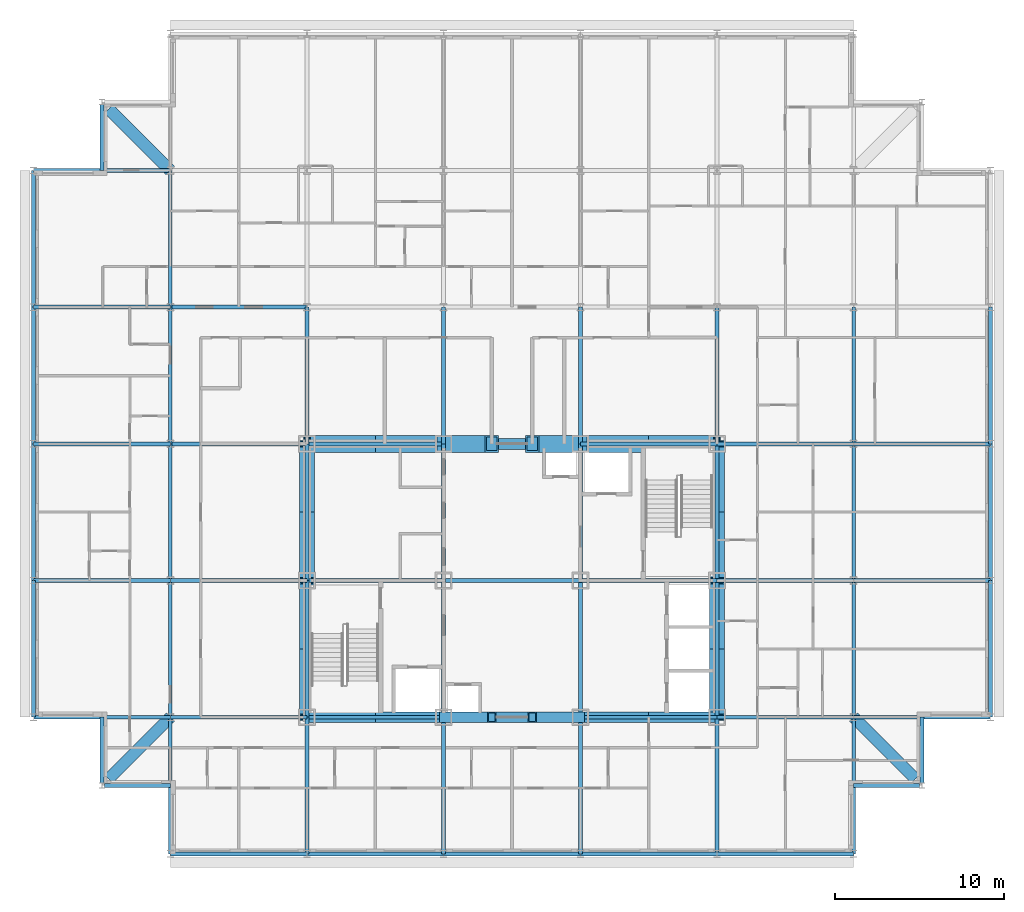
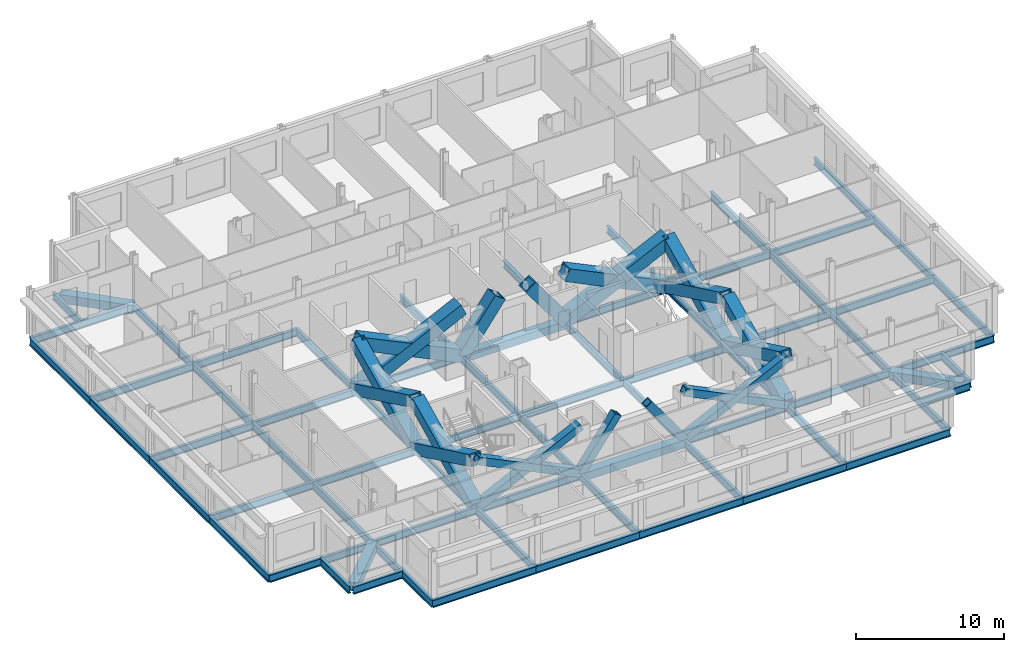
# One storey, part 5 of 16: 69 beams, 20 members.
"""IFC4 building model written with IfcOpenShell, lengths in metres."""

from ifc_helpers import new_model, si_unit, direction, frame, origin, origin_2d, place, context, subcontext, project, spatial, hollow_rectangle, i_section, extrude, material, material_profile, profile_set, type_object, element, save


model = new_model("IFC4")

# Units and contexts
model_context = context("Model", 3, precision=1e-05, world=origin(), true_north=direction((0.0, 1.0)))
body_context = subcontext(model_context, "Body", "Model", "MODEL_VIEW")
ifc_project = project(units=[si_unit("LENGTHUNIT", "METRE"), si_unit("AREAUNIT", "SQUARE_METRE"), si_unit("VOLUMEUNIT", "CUBIC_METRE"), si_unit("PLANEANGLEUNIT", "RADIAN"), si_unit("MASSUNIT", "GRAM", prefix="KILO")], contexts=[model_context])

# Site, building, storey
site_placement = place(None, origin())
site = spatial("IfcSite", under=ifc_project, at=site_placement, CompositionType="ELEMENT")
building_placement = place(site_placement, origin())
building = spatial("IfcBuilding", under=site, at=building_placement, Name="Kopane Lantern Tower", CompositionType="ELEMENT")
storey_placement = place(building_placement, frame((0.0, 0.0, 261.89990234375)))
storey = spatial("IfcBuildingStorey", under=building, at=storey_placement, Name="L67", CompositionType="ELEMENT", Elevation=261.89990234375)

# Members
ifc_material_1 = material(Name="Steel S355JR", Category="steel")
ifc_material_profile_1 = material_profile(ifc_material_1, hollow_rectangle(XDim=1.0, YDim=1.0, WallThickness=0.10009765625, at=origin_2d()), Name="BOX 1000x1000x100")
ifc_profile_set_1 = profile_set([ifc_material_profile_1], Name="Steel S355JR")
member_type_1 = type_object("IfcMemberType", Name="BRACE BOX 1000x1000x100", PredefinedType="BRACE", material=ifc_profile_set_1)
for number, where, z_axis, x_axis, name in (
    (1, (16.199951171875, 40.5, -0.2099609375), (0.900997345243, 0.0, 0.433824600345), (0.0, 1.0, 0.0), "Core brace L67"),
    (2, (24.300048828125, 40.5, -0.2099609375), (-0.900997345243, 0.0, 0.433824600345), (0.0, -1.0, 0.0), "Core brace L67"),
):
    element("IfcMember", number, at=place(storey_placement, frame(where, z_axis=z_axis, x_axis=x_axis)), inside=storey, type_object=member_type_1, Name=name, PredefinedType="BRACE", context=body_context, shape_type="SweptSolid", body=[
        extrude(hollow_rectangle(XDim=1.0, YDim=1.0, WallThickness=0.10009765625, at=origin_2d()), origin(), (0.0, 0.0, 1.0), 8.990234375),
    ])
for number, where, z_axis, x_axis, name in (
    (3, (24.300048828125, 40.5, -0.2099609375), (0.589982373942, 0.0, 0.807416124708), (0.0, 1.0, 0.0), "Core brace L67"),
    (4, (32.39990234375, 40.5, -0.2099609375), (-0.589982373942, 0.0, 0.807416124708), (0.0, -1.0, 0.0), "Core brace L67"),
):
    element("IfcMember", number, at=place(storey_placement, frame(where, z_axis=z_axis, x_axis=x_axis)), inside=storey, type_object=member_type_1, Name=name, PredefinedType="BRACE", context=body_context, shape_type="SweptSolid", body=[
        extrude(hollow_rectangle(XDim=1.0, YDim=1.0, WallThickness=0.10009765625, at=origin_2d()), origin(), (0.0, 0.0, 1.0), 4.830322265625),
    ])
for number, where, z_axis, x_axis, name in (
    (5, (32.39990234375, 40.5, -0.2099609375), (0.900997345243, 0.0, 0.433824600345), (0.0, 1.0, 0.0), "Core brace L67"),
    (6, (40.5, 40.5, -0.2099609375), (-0.900997345243, 0.0, 0.433824600345), (0.0, -1.0, 0.0), "Core brace L67"),
):
    element("IfcMember", number, at=place(storey_placement, frame(where, z_axis=z_axis, x_axis=x_axis)), inside=storey, type_object=member_type_1, Name=name, PredefinedType="BRACE", context=body_context, shape_type="SweptSolid", body=[
        extrude(hollow_rectangle(XDim=1.0, YDim=1.0, WallThickness=0.10009765625, at=origin_2d()), origin(), (0.0, 0.0, 1.0), 8.990234375),
    ])
ifc_material_2 = material(Name="Steel S355JR", Category="steel")
ifc_material_profile_2 = material_profile(ifc_material_2, hollow_rectangle(XDim=0.60009765625, YDim=0.60009765625, WallThickness=0.06005859375, at=origin_2d()), Name="BOX 600x600x60")
ifc_profile_set_2 = profile_set([ifc_material_profile_2], Name="Steel S355JR")
member_type_2 = type_object("IfcMemberType", Name="BRACE BOX 600x600x60", PredefinedType="BRACE", material=ifc_profile_set_2)
for number, where, z_axis, x_axis, name in (
    (7, (16.199951171875, 24.300048828125, -0.2099609375), (0.900997345243, 0.0, 0.433824600345), (0.0, 1.0, 0.0), "Core brace L67"),
    (8, (24.300048828125, 24.300048828125, -0.2099609375), (-0.900997345243, 0.0, 0.433824600345), (0.0, -1.0, 0.0), "Core brace L67"),
):
    element("IfcMember", number, at=place(storey_placement, frame(where, z_axis=z_axis, x_axis=x_axis)), inside=storey, type_object=member_type_2, Name=name, PredefinedType="BRACE", context=body_context, shape_type="SweptSolid", body=[
        extrude(hollow_rectangle(XDim=0.60009765625, YDim=0.60009765625, WallThickness=0.06005859375, at=origin_2d()), origin(), (0.0, 0.0, 1.0), 8.990234375),
    ])
for number, where, z_axis, x_axis, name in (
    (9, (24.300048828125, 24.300048828125, -0.2099609375), (0.589982373942, 0.0, 0.807416124708), (0.0, 1.0, 0.0), "Core brace L67"),
    (10, (32.39990234375, 24.300048828125, -0.2099609375), (-0.589982373942, 0.0, 0.807416124708), (0.0, -1.0, 0.0), "Core brace L67"),
):
    element("IfcMember", number, at=place(storey_placement, frame(where, z_axis=z_axis, x_axis=x_axis)), inside=storey, type_object=member_type_2, Name=name, PredefinedType="BRACE", context=body_context, shape_type="SweptSolid", body=[
        extrude(hollow_rectangle(XDim=0.60009765625, YDim=0.60009765625, WallThickness=0.06005859375, at=origin_2d()), origin(), (0.0, 0.0, 1.0), 4.830322265625),
    ])
for number, where, z_axis, x_axis, name in (
    (11, (32.39990234375, 24.300048828125, -0.2099609375), (0.900997345243, 0.0, 0.433824600345), (0.0, 1.0, 0.0), "Core brace L67"),
    (12, (40.5, 24.300048828125, -0.2099609375), (-0.900997345243, 0.0, 0.433824600345), (0.0, -1.0, 0.0), "Core brace L67"),
):
    element("IfcMember", number, at=place(storey_placement, frame(where, z_axis=z_axis, x_axis=x_axis)), inside=storey, type_object=member_type_2, Name=name, PredefinedType="BRACE", context=body_context, shape_type="SweptSolid", body=[
        extrude(hollow_rectangle(XDim=0.60009765625, YDim=0.60009765625, WallThickness=0.06005859375, at=origin_2d()), origin(), (0.0, 0.0, 1.0), 8.990234375),
    ])
ifc_material_3 = material(Name="Steel S355JR", Category="steel")
ifc_material_profile_3 = material_profile(ifc_material_3, hollow_rectangle(XDim=0.89990234375, YDim=0.89990234375, WallThickness=0.090087890625, at=origin_2d()), Name="BOX 900x900x90")
ifc_profile_set_3 = profile_set([ifc_material_profile_3], Name="Steel S355JR")
member_type_3 = type_object("IfcMemberType", Name="BRACE BOX 900x900x90", PredefinedType="BRACE", material=ifc_profile_set_3)
for number, where, z_axis, x_axis, name in (
    (13, (16.199951171875, 24.300048828125, -0.2099609375), (0.0, 0.900992234105, 0.433835215355), (-1.0, 0.0, 0.0), "Core brace L67"),
    (14, (16.199951171875, 32.39990234375, -0.2099609375), (0.0, -0.900992234105, 0.433835215355), (1.0, 0.0, 0.0), "Core brace L67"),
):
    element("IfcMember", number, at=place(storey_placement, frame(where, z_axis=z_axis, x_axis=x_axis)), inside=storey, type_object=member_type_3, Name=name, PredefinedType="BRACE", context=body_context, shape_type="SweptSolid", body=[
        extrude(hollow_rectangle(XDim=0.89990234375, YDim=0.89990234375, WallThickness=0.090087890625, at=origin_2d()), origin(), (0.0, 0.0, 1.0), 8.989990234375),
    ])
for number, where, z_axis, x_axis, name in (
    (15, (16.199951171875, 32.39990234375, -0.2099609375), (0.0, 0.900997345243, 0.433824600345), (-1.0, 0.0, 0.0), "Core brace L67"),
    (16, (16.199951171875, 40.5, -0.2099609375), (0.0, -0.900997345243, 0.433824600345), (1.0, 0.0, 0.0), "Core brace L67"),
):
    element("IfcMember", number, at=place(storey_placement, frame(where, z_axis=z_axis, x_axis=x_axis)), inside=storey, type_object=member_type_3, Name=name, PredefinedType="BRACE", context=body_context, shape_type="SweptSolid", body=[
        extrude(hollow_rectangle(XDim=0.89990234375, YDim=0.89990234375, WallThickness=0.090087890625, at=origin_2d()), origin(), (0.0, 0.0, 1.0), 8.990234375),
    ])
for number, where, z_axis, x_axis, name in (
    (17, (40.5, 24.300048828125, -0.2099609375), (0.0, 0.900992234105, 0.433835215355), (-1.0, 0.0, 0.0), "Core brace L67"),
    (18, (40.5, 32.39990234375, -0.2099609375), (0.0, -0.900992234105, 0.433835215355), (1.0, 0.0, 0.0), "Core brace L67"),
):
    element("IfcMember", number, at=place(storey_placement, frame(where, z_axis=z_axis, x_axis=x_axis)), inside=storey, type_object=member_type_3, Name=name, PredefinedType="BRACE", context=body_context, shape_type="SweptSolid", body=[
        extrude(hollow_rectangle(XDim=0.89990234375, YDim=0.89990234375, WallThickness=0.090087890625, at=origin_2d()), origin(), (0.0, 0.0, 1.0), 8.989990234375),
    ])
for number, where, z_axis, x_axis, name in (
    (19, (40.5, 32.39990234375, -0.2099609375), (0.0, 0.900997345243, 0.433824600345), (-1.0, 0.0, 0.0), "Core brace L67"),
    (20, (40.5, 40.5, -0.2099609375), (0.0, -0.900997345243, 0.433824600345), (1.0, 0.0, 0.0), "Core brace L67"),
):
    element("IfcMember", number, at=place(storey_placement, frame(where, z_axis=z_axis, x_axis=x_axis)), inside=storey, type_object=member_type_3, Name=name, PredefinedType="BRACE", context=body_context, shape_type="SweptSolid", body=[
        extrude(hollow_rectangle(XDim=0.89990234375, YDim=0.89990234375, WallThickness=0.090087890625, at=origin_2d()), origin(), (0.0, 0.0, 1.0), 8.990234375),
    ])

# Beams
ifc_material_4 = material(Name="Steel S355JR", Category="steel")
ifc_material_profile_4 = material_profile(ifc_material_4, i_section(OverallWidth=0.22900390625, OverallDepth=0.6123046875, WebThickness=0.011962890625, FlangeThickness=0.01953125, FilletRadius=0.0126953125, at=origin_2d()), Name="UB 610x229x125")
ifc_profile_set_4 = profile_set([ifc_material_profile_4], Name="Steel S355JR")
beam_type_1 = type_object("IfcBeamType", Name="CORE BEAM UB 610x229x125", PredefinedType="BEAM", material=ifc_profile_set_4)
beam_1_placement = place(storey_placement, frame((16.199951171875, 32.39990234375, -0.51611328125), z_axis=(1.0, 0.0, 0.0), x_axis=(0.0, 1.0, 0.0)))
element("IfcBeam", 21, at=beam_1_placement, inside=storey, type_object=beam_type_1, Name="Core Beam L67", PredefinedType="BEAM", context=body_context, shape_type="SweptSolid", body=[
    extrude(i_section(OverallWidth=0.22900390625, OverallDepth=0.6123046875, WebThickness=0.011962890625, FlangeThickness=0.01953125, FilletRadius=0.0126953125, at=origin_2d()), origin(), (0.0, 0.0, 1.0), 8.10009765625),
])
beam_2_placement = place(storey_placement, frame((24.300048828125, 24.300048828125, -0.51611328125), z_axis=(0.0, 1.0, 0.0), x_axis=(-1.0, 0.0, 0.0)))
element("IfcBeam", 22, at=beam_2_placement, inside=storey, type_object=beam_type_1, Name="Core Beam L67", PredefinedType="BEAM", context=body_context, shape_type="SweptSolid", body=[
    extrude(i_section(OverallWidth=0.22900390625, OverallDepth=0.6123046875, WebThickness=0.011962890625, FlangeThickness=0.01953125, FilletRadius=0.0126953125, at=origin_2d()), origin(), (0.0, 0.0, 1.0), 8.099853515625),
])
beam_3_placement = place(storey_placement, frame((24.300048828125, 32.39990234375, -0.51611328125), z_axis=(0.0, 1.0, 0.0), x_axis=(-1.0, 0.0, 0.0)))
element("IfcBeam", 23, at=beam_3_placement, inside=storey, type_object=beam_type_1, Name="Core Beam L67", PredefinedType="BEAM", context=body_context, shape_type="SweptSolid", body=[
    extrude(i_section(OverallWidth=0.22900390625, OverallDepth=0.6123046875, WebThickness=0.011962890625, FlangeThickness=0.01953125, FilletRadius=0.0126953125, at=origin_2d()), origin(), (0.0, 0.0, 1.0), 8.10009765625),
])
for number, where, z_axis, x_axis, name in (
    (24, (24.300048828125, 32.39990234375, -0.51611328125), (1.0, 0.0, 0.0), (0.0, 1.0, 0.0), "Core Beam L67"),
    (25, (32.39990234375, 24.300048828125, -0.51611328125), (0.0, 1.0, 0.0), (-1.0, 0.0, 0.0), "Core Beam L67"),
):
    element("IfcBeam", number, at=place(storey_placement, frame(where, z_axis=z_axis, x_axis=x_axis)), inside=storey, type_object=beam_type_1, Name=name, PredefinedType="BEAM", context=body_context, shape_type="SweptSolid", body=[
        extrude(i_section(OverallWidth=0.22900390625, OverallDepth=0.6123046875, WebThickness=0.011962890625, FlangeThickness=0.01953125, FilletRadius=0.0126953125, at=origin_2d()), origin(), (0.0, 0.0, 1.0), 8.099853515625),
    ])
for number, where, z_axis, x_axis, name in (
    (26, (32.39990234375, 32.39990234375, -0.51611328125), (0.0, 1.0, 0.0), (-1.0, 0.0, 0.0), "Core Beam L67"),
    (27, (32.39990234375, 32.39990234375, -0.51611328125), (1.0, 0.0, 0.0), (0.0, 1.0, 0.0), "Core Beam L67"),
):
    element("IfcBeam", number, at=place(storey_placement, frame(where, z_axis=z_axis, x_axis=x_axis)), inside=storey, type_object=beam_type_1, Name=name, PredefinedType="BEAM", context=body_context, shape_type="SweptSolid", body=[
        extrude(i_section(OverallWidth=0.22900390625, OverallDepth=0.6123046875, WebThickness=0.011962890625, FlangeThickness=0.01953125, FilletRadius=0.0126953125, at=origin_2d()), origin(), (0.0, 0.0, 1.0), 8.10009765625),
    ])
ifc_material_5 = material(Name="Steel S355JR", Category="steel")
ifc_material_profile_5 = material_profile(ifc_material_5, hollow_rectangle(XDim=0.699951171875, YDim=0.699951171875, WallThickness=0.06005859375, at=origin_2d()), Name="BOX 700x700x60")
ifc_profile_set_5 = profile_set([ifc_material_profile_5], Name="Steel S355JR")
beam_type_2 = type_object("IfcBeamType", Name="CORNER TIE BEAM BOX 700x700x60", PredefinedType="BEAM", material=ifc_profile_set_5)
for number, where, z_axis, x_axis, name in (
    (28, (4.447509765625, 20.6474609375, -0.559814453125), (0.707106781187, 0.707106781187, 0.0), (-0.707106781187, 0.707106781187, 0.0), "Corner Tie Beam L67"),
    (29, (4.447509765625, 60.3525390625, -0.559814453125), (0.707106781187, -0.707106781187, 0.0), (0.707106781187, 0.707106781187, 0.0), "Corner Tie Beam L67"),
):
    element("IfcBeam", number, at=place(storey_placement, frame(where, z_axis=z_axis, x_axis=x_axis)), inside=storey, type_object=beam_type_2, Name=name, PredefinedType="BEAM", context=body_context, shape_type="SweptSolid", body=[
        extrude(hollow_rectangle(XDim=0.699951171875, YDim=0.699951171875, WallThickness=0.06005859375, at=origin_2d()), origin(), (0.0, 0.0, 1.0), 5.16552734375),
    ])
beam_4_placement = place(storey_placement, frame((52.25244140625, 20.6474609375, -0.559814453125), z_axis=(-0.707083148333, 0.70713041325, 0.0), x_axis=(-0.70713041325, -0.707083148333, 0.0)))
element("IfcBeam", 30, at=beam_4_placement, inside=storey, type_object=beam_type_2, Name="Corner Tie Beam L67", PredefinedType="BEAM", context=body_context, shape_type="SweptSolid", body=[
    extrude(hollow_rectangle(XDim=0.699951171875, YDim=0.699951171875, WallThickness=0.06005859375, at=origin_2d()), origin(), (0.0, 0.0, 1.0), 5.165283203125),
])
ifc_material_6 = material(Name="Steel S355JR", Category="steel")
ifc_material_profile_6 = material_profile(ifc_material_6, i_section(OverallWidth=0.22900390625, OverallDepth=0.6123046875, WebThickness=0.011962890625, FlangeThickness=0.01953125, FilletRadius=0.0126953125, at=origin_2d()), Name="UB 610x229x125")
ifc_profile_set_6 = profile_set([ifc_material_profile_6], Name="Steel S355JR")
beam_type_3 = type_object("IfcBeamType", Name="EDGE BEAM UB 610x229x125", PredefinedType="BEAM", material=ifc_profile_set_6)
beam_5_placement = place(storey_placement, frame((4.050048828125, 20.40380859375, -0.51611328125), z_axis=(0.0, 1.0, 0.0), x_axis=(-1.0, 0.0, 0.0)))
element("IfcBeam", 31, at=beam_5_placement, inside=storey, type_object=beam_type_3, Name="Edge Beam L67", PredefinedType="BEAM", context=body_context, shape_type="SweptSolid", body=[
    extrude(i_section(OverallWidth=0.22900390625, OverallDepth=0.6123046875, WebThickness=0.011962890625, FlangeThickness=0.01953125, FilletRadius=0.0126953125, at=origin_2d()), origin(), (0.0, 0.0, 1.0), 3.896240234375),
])
beam_6_placement = place(storey_placement, frame((4.20361328125, 20.25, -0.51611328125), z_axis=(1.0, 0.0, 0.0), x_axis=(0.0, 1.0, 0.0)))
element("IfcBeam", 32, at=beam_6_placement, inside=storey, type_object=beam_type_3, Name="Edge Beam L67", PredefinedType="BEAM", context=body_context, shape_type="SweptSolid", body=[
    extrude(i_section(OverallWidth=0.22900390625, OverallDepth=0.6123046875, WebThickness=0.011962890625, FlangeThickness=0.01953125, FilletRadius=0.0126953125, at=origin_2d()), origin(), (0.0, 0.0, 1.0), 3.896484375),
])
for number, where, z_axis, x_axis, name in (
    (33, (4.050048828125, 60.59619140625, -0.51611328125), (0.0, -1.0, 0.0), (1.0, 0.0, 0.0), "Edge Beam L67"),
    (34, (52.496337890625, 20.25, -0.51611328125), (-1.0, 0.0, 0.0), (0.0, -1.0, 0.0), "Edge Beam L67"),
    (35, (52.64990234375, 20.40380859375, -0.51611328125), (0.0, 1.0, 0.0), (-1.0, 0.0, 0.0), "Edge Beam L67"),
):
    element("IfcBeam", number, at=place(storey_placement, frame(where, z_axis=z_axis, x_axis=x_axis)), inside=storey, type_object=beam_type_3, Name=name, PredefinedType="BEAM", context=body_context, shape_type="SweptSolid", body=[
        extrude(i_section(OverallWidth=0.22900390625, OverallDepth=0.6123046875, WebThickness=0.011962890625, FlangeThickness=0.01953125, FilletRadius=0.0126953125, at=origin_2d()), origin(), (0.0, 0.0, 1.0), 3.896240234375),
    ])
ifc_material_7 = material(Name="Steel S355JR", Category="steel")
ifc_material_profile_7 = material_profile(ifc_material_7, i_section(OverallWidth=0.22900390625, OverallDepth=0.6123046875, WebThickness=0.011962890625, FlangeThickness=0.01953125, FilletRadius=0.0126953125, at=origin_2d()), Name="UB 610x229x125")
ifc_profile_set_7 = profile_set([ifc_material_profile_7], Name="Steel S355JR")
beam_type_4 = type_object("IfcBeamType", Name="GIRDER UB 610x229x125", PredefinedType="BEAM", material=ifc_profile_set_7)
beam_7_placement = place(storey_placement, frame((0.0, 24.300048828125, -0.51611328125), z_axis=(0.0, 1.0, 0.0), x_axis=(-1.0, 0.0, 0.0)))
element("IfcBeam", 36, at=beam_7_placement, inside=storey, type_object=beam_type_4, Name="Girder L67", PredefinedType="BEAM", context=body_context, shape_type="SweptSolid", body=[
    extrude(i_section(OverallWidth=0.22900390625, OverallDepth=0.6123046875, WebThickness=0.011962890625, FlangeThickness=0.01953125, FilletRadius=0.0126953125, at=origin_2d()), origin(), (0.0, 0.0, 1.0), 8.099853515625),
])
for number, where, z_axis, x_axis, name in (
    (37, (0.0, 24.300048828125, -0.51611328125), (1.0, 0.0, 0.0), (0.0, 1.0, 0.0), "Girder L67"),
    (38, (0.0, 32.39990234375, -0.51611328125), (0.0, 1.0, 0.0), (-1.0, 0.0, 0.0), "Girder L67"),
    (39, (0.0, 32.39990234375, -0.51611328125), (1.0, 0.0, 0.0), (0.0, 1.0, 0.0), "Girder L67"),
    (40, (0.0, 40.5, -0.51611328125), (0.0, 1.0, 0.0), (-1.0, 0.0, 0.0), "Girder L67"),
    (41, (0.0, 40.5, -0.51611328125), (1.0, 0.0, 0.0), (0.0, 1.0, 0.0), "Girder L67"),
):
    element("IfcBeam", number, at=place(storey_placement, frame(where, z_axis=z_axis, x_axis=x_axis)), inside=storey, type_object=beam_type_4, Name=name, PredefinedType="BEAM", context=body_context, shape_type="SweptSolid", body=[
        extrude(i_section(OverallWidth=0.22900390625, OverallDepth=0.6123046875, WebThickness=0.011962890625, FlangeThickness=0.01953125, FilletRadius=0.0126953125, at=origin_2d()), origin(), (0.0, 0.0, 1.0), 8.10009765625),
    ])
beam_8_placement = place(storey_placement, frame((0.0, 48.60009765625, -0.51611328125), z_axis=(0.0, 1.0, 0.0), x_axis=(-1.0, 0.0, 0.0)))
element("IfcBeam", 42, at=beam_8_placement, inside=storey, type_object=beam_type_4, Name="Girder L67", PredefinedType="BEAM", context=body_context, shape_type="SweptSolid", body=[
    extrude(i_section(OverallWidth=0.22900390625, OverallDepth=0.6123046875, WebThickness=0.011962890625, FlangeThickness=0.01953125, FilletRadius=0.0126953125, at=origin_2d()), origin(), (0.0, 0.0, 1.0), 8.099853515625),
])
for number, where, z_axis, x_axis, name in (
    (43, (0.0, 48.60009765625, -0.51611328125), (1.0, 0.0, 0.0), (0.0, 1.0, 0.0), "Girder L67"),
    (44, (0.0, 56.699951171875, -0.51611328125), (1.0, 0.0, 0.0), (0.0, 1.0, 0.0), "Girder L67"),
    (45, (8.10009765625, 16.199951171875, -0.51611328125), (0.0, 1.0, 0.0), (-1.0, 0.0, 0.0), "Girder L67"),
):
    element("IfcBeam", number, at=place(storey_placement, frame(where, z_axis=z_axis, x_axis=x_axis)), inside=storey, type_object=beam_type_4, Name=name, PredefinedType="BEAM", context=body_context, shape_type="SweptSolid", body=[
        extrude(i_section(OverallWidth=0.22900390625, OverallDepth=0.6123046875, WebThickness=0.011962890625, FlangeThickness=0.01953125, FilletRadius=0.0126953125, at=origin_2d()), origin(), (0.0, 0.0, 1.0), 8.10009765625),
    ])
for number, where, z_axis, x_axis, name in (
    (46, (8.10009765625, 16.199951171875, -0.51611328125), (1.0, 0.0, 0.0), (0.0, 1.0, 0.0), "Girder L67"),
    (47, (8.10009765625, 24.300048828125, -0.51611328125), (0.0, 1.0, 0.0), (-1.0, 0.0, 0.0), "Girder L67"),
    (48, (8.10009765625, 24.300048828125, -0.51611328125), (1.0, 0.0, 0.0), (0.0, 1.0, 0.0), "Girder L67"),
):
    element("IfcBeam", number, at=place(storey_placement, frame(where, z_axis=z_axis, x_axis=x_axis)), inside=storey, type_object=beam_type_4, Name=name, PredefinedType="BEAM", context=body_context, shape_type="SweptSolid", body=[
        extrude(i_section(OverallWidth=0.22900390625, OverallDepth=0.6123046875, WebThickness=0.011962890625, FlangeThickness=0.01953125, FilletRadius=0.0126953125, at=origin_2d()), origin(), (0.0, 0.0, 1.0), 8.099853515625),
    ])
beam_9_placement = place(storey_placement, frame((8.10009765625, 32.39990234375, -0.51611328125), z_axis=(0.0, 1.0, 0.0), x_axis=(-1.0, 0.0, 0.0)))
element("IfcBeam", 49, at=beam_9_placement, inside=storey, type_object=beam_type_4, Name="Girder L67", PredefinedType="BEAM", context=body_context, shape_type="SweptSolid", body=[
    extrude(i_section(OverallWidth=0.22900390625, OverallDepth=0.6123046875, WebThickness=0.011962890625, FlangeThickness=0.01953125, FilletRadius=0.0126953125, at=origin_2d()), origin(), (0.0, 0.0, 1.0), 8.10009765625),
])
beam_10_placement = place(storey_placement, frame((8.10009765625, 32.39990234375, -0.51611328125), z_axis=(1.0, 0.0, 0.0), x_axis=(0.0, 1.0, 0.0)))
element("IfcBeam", 50, at=beam_10_placement, inside=storey, type_object=beam_type_4, Name="Girder L67", PredefinedType="BEAM", context=body_context, shape_type="SweptSolid", body=[
    extrude(i_section(OverallWidth=0.22900390625, OverallDepth=0.6123046875, WebThickness=0.011962890625, FlangeThickness=0.01953125, FilletRadius=0.0126953125, at=origin_2d()), origin(), (0.0, 0.0, 1.0), 8.099853515625),
])
beam_11_placement = place(storey_placement, frame((8.10009765625, 40.5, -0.51611328125), z_axis=(0.0, 1.0, 0.0), x_axis=(-1.0, 0.0, 0.0)))
element("IfcBeam", 51, at=beam_11_placement, inside=storey, type_object=beam_type_4, Name="Girder L67", PredefinedType="BEAM", context=body_context, shape_type="SweptSolid", body=[
    extrude(i_section(OverallWidth=0.22900390625, OverallDepth=0.6123046875, WebThickness=0.011962890625, FlangeThickness=0.01953125, FilletRadius=0.0126953125, at=origin_2d()), origin(), (0.0, 0.0, 1.0), 8.10009765625),
])
for number, where, z_axis, x_axis, name in (
    (52, (8.10009765625, 40.5, -0.51611328125), (1.0, 0.0, 0.0), (0.0, 1.0, 0.0), "Girder L67"),
    (53, (8.10009765625, 48.60009765625, -0.51611328125), (0.0, 1.0, 0.0), (-1.0, 0.0, 0.0), "Girder L67"),
    (54, (8.10009765625, 48.60009765625, -0.51611328125), (1.0, 0.0, 0.0), (0.0, 1.0, 0.0), "Girder L67"),
):
    element("IfcBeam", number, at=place(storey_placement, frame(where, z_axis=z_axis, x_axis=x_axis)), inside=storey, type_object=beam_type_4, Name=name, PredefinedType="BEAM", context=body_context, shape_type="SweptSolid", body=[
        extrude(i_section(OverallWidth=0.22900390625, OverallDepth=0.6123046875, WebThickness=0.011962890625, FlangeThickness=0.01953125, FilletRadius=0.0126953125, at=origin_2d()), origin(), (0.0, 0.0, 1.0), 8.099853515625),
    ])
for number, where, z_axis, x_axis, name in (
    (55, (16.199951171875, 16.199951171875, -0.51611328125), (0.0, 1.0, 0.0), (-1.0, 0.0, 0.0), "Girder L67"),
    (56, (16.199951171875, 16.199951171875, -0.51611328125), (1.0, 0.0, 0.0), (0.0, 1.0, 0.0), "Girder L67"),
):
    element("IfcBeam", number, at=place(storey_placement, frame(where, z_axis=z_axis, x_axis=x_axis)), inside=storey, type_object=beam_type_4, Name=name, PredefinedType="BEAM", context=body_context, shape_type="SweptSolid", body=[
        extrude(i_section(OverallWidth=0.22900390625, OverallDepth=0.6123046875, WebThickness=0.011962890625, FlangeThickness=0.01953125, FilletRadius=0.0126953125, at=origin_2d()), origin(), (0.0, 0.0, 1.0), 8.10009765625),
    ])
beam_12_placement = place(storey_placement, frame((16.199951171875, 24.300048828125, -0.51611328125), z_axis=(0.0, 1.0, 0.0), x_axis=(-1.0, 0.0, 0.0)))
element("IfcBeam", 57, at=beam_12_placement, inside=storey, type_object=beam_type_4, Name="Girder L67", PredefinedType="BEAM", context=body_context, shape_type="SweptSolid", body=[
    extrude(i_section(OverallWidth=0.22900390625, OverallDepth=0.6123046875, WebThickness=0.011962890625, FlangeThickness=0.01953125, FilletRadius=0.0126953125, at=origin_2d()), origin(), (0.0, 0.0, 1.0), 8.099853515625),
])
for number, where, z_axis, x_axis, name in (
    (58, (16.199951171875, 24.300048828125, -0.51611328125), (1.0, 0.0, 0.0), (0.0, 1.0, 0.0), "Girder L67"),
    (59, (16.199951171875, 32.39990234375, -0.51611328125), (0.0, 1.0, 0.0), (-1.0, 0.0, 0.0), "Girder L67"),
    (60, (16.199951171875, 40.5, -0.51611328125), (0.0, 1.0, 0.0), (-1.0, 0.0, 0.0), "Girder L67"),
    (61, (16.199951171875, 40.5, -0.51611328125), (1.0, 0.0, 0.0), (0.0, 1.0, 0.0), "Girder L67"),
    (62, (24.300048828125, 16.199951171875, -0.51611328125), (0.0, 1.0, 0.0), (-1.0, 0.0, 0.0), "Girder L67"),
):
    element("IfcBeam", number, at=place(storey_placement, frame(where, z_axis=z_axis, x_axis=x_axis)), inside=storey, type_object=beam_type_4, Name=name, PredefinedType="BEAM", context=body_context, shape_type="SweptSolid", body=[
        extrude(i_section(OverallWidth=0.22900390625, OverallDepth=0.6123046875, WebThickness=0.011962890625, FlangeThickness=0.01953125, FilletRadius=0.0126953125, at=origin_2d()), origin(), (0.0, 0.0, 1.0), 8.10009765625),
    ])
beam_13_placement = place(storey_placement, frame((24.300048828125, 16.199951171875, -0.51611328125), z_axis=(1.0, 0.0, 0.0), x_axis=(0.0, 1.0, 0.0)))
element("IfcBeam", 63, at=beam_13_placement, inside=storey, type_object=beam_type_4, Name="Girder L67", PredefinedType="BEAM", context=body_context, shape_type="SweptSolid", body=[
    extrude(i_section(OverallWidth=0.22900390625, OverallDepth=0.6123046875, WebThickness=0.011962890625, FlangeThickness=0.01953125, FilletRadius=0.0126953125, at=origin_2d()), origin(), (0.0, 0.0, 1.0), 8.099853515625),
])
for number, where, z_axis, x_axis, name in (
    (64, (24.300048828125, 40.5, -0.51611328125), (0.0, 1.0, 0.0), (-1.0, 0.0, 0.0), "Girder L67"),
    (65, (32.39990234375, 16.199951171875, -0.51611328125), (0.0, 1.0, 0.0), (-1.0, 0.0, 0.0), "Girder L67"),
    (66, (32.39990234375, 16.199951171875, -0.51611328125), (1.0, 0.0, 0.0), (0.0, 1.0, 0.0), "Girder L67"),
    (67, (32.39990234375, 24.300048828125, -0.51611328125), (1.0, 0.0, 0.0), (0.0, 1.0, 0.0), "Girder L67"),
    (68, (32.39990234375, 40.5, -0.51611328125), (0.0, 1.0, 0.0), (-1.0, 0.0, 0.0), "Girder L67"),
    (69, (32.39990234375, 40.5, -0.51611328125), (1.0, 0.0, 0.0), (0.0, 1.0, 0.0), "Girder L67"),
    (70, (40.5, 16.199951171875, -0.51611328125), (0.0, 1.0, 0.0), (-1.0, 0.0, 0.0), "Girder L67"),
    (71, (40.5, 16.199951171875, -0.51611328125), (1.0, 0.0, 0.0), (0.0, 1.0, 0.0), "Girder L67"),
):
    element("IfcBeam", number, at=place(storey_placement, frame(where, z_axis=z_axis, x_axis=x_axis)), inside=storey, type_object=beam_type_4, Name=name, PredefinedType="BEAM", context=body_context, shape_type="SweptSolid", body=[
        extrude(i_section(OverallWidth=0.22900390625, OverallDepth=0.6123046875, WebThickness=0.011962890625, FlangeThickness=0.01953125, FilletRadius=0.0126953125, at=origin_2d()), origin(), (0.0, 0.0, 1.0), 8.10009765625),
    ])
beam_14_placement = place(storey_placement, frame((40.5, 24.300048828125, -0.51611328125), z_axis=(0.0, 1.0, 0.0), x_axis=(-1.0, 0.0, 0.0)))
element("IfcBeam", 72, at=beam_14_placement, inside=storey, type_object=beam_type_4, Name="Girder L67", PredefinedType="BEAM", context=body_context, shape_type="SweptSolid", body=[
    extrude(i_section(OverallWidth=0.22900390625, OverallDepth=0.6123046875, WebThickness=0.011962890625, FlangeThickness=0.01953125, FilletRadius=0.0126953125, at=origin_2d()), origin(), (0.0, 0.0, 1.0), 8.099853515625),
])
for number, where, z_axis, x_axis, name in (
    (73, (40.5, 24.300048828125, -0.51611328125), (1.0, 0.0, 0.0), (0.0, 1.0, 0.0), "Girder L67"),
    (74, (40.5, 32.39990234375, -0.51611328125), (0.0, 1.0, 0.0), (-1.0, 0.0, 0.0), "Girder L67"),
    (75, (40.5, 32.39990234375, -0.51611328125), (1.0, 0.0, 0.0), (0.0, 1.0, 0.0), "Girder L67"),
    (76, (40.5, 40.5, -0.51611328125), (0.0, 1.0, 0.0), (-1.0, 0.0, 0.0), "Girder L67"),
    (77, (40.5, 40.5, -0.51611328125), (1.0, 0.0, 0.0), (0.0, 1.0, 0.0), "Girder L67"),
    (78, (48.60009765625, 16.199951171875, -0.51611328125), (0.0, 1.0, 0.0), (-1.0, 0.0, 0.0), "Girder L67"),
):
    element("IfcBeam", number, at=place(storey_placement, frame(where, z_axis=z_axis, x_axis=x_axis)), inside=storey, type_object=beam_type_4, Name=name, PredefinedType="BEAM", context=body_context, shape_type="SweptSolid", body=[
        extrude(i_section(OverallWidth=0.22900390625, OverallDepth=0.6123046875, WebThickness=0.011962890625, FlangeThickness=0.01953125, FilletRadius=0.0126953125, at=origin_2d()), origin(), (0.0, 0.0, 1.0), 8.10009765625),
    ])
for number, where, z_axis, x_axis, name in (
    (79, (48.60009765625, 24.300048828125, -0.51611328125), (0.0, 1.0, 0.0), (-1.0, 0.0, 0.0), "Girder L67"),
    (80, (48.60009765625, 24.300048828125, -0.51611328125), (1.0, 0.0, 0.0), (0.0, 1.0, 0.0), "Girder L67"),
):
    element("IfcBeam", number, at=place(storey_placement, frame(where, z_axis=z_axis, x_axis=x_axis)), inside=storey, type_object=beam_type_4, Name=name, PredefinedType="BEAM", context=body_context, shape_type="SweptSolid", body=[
        extrude(i_section(OverallWidth=0.22900390625, OverallDepth=0.6123046875, WebThickness=0.011962890625, FlangeThickness=0.01953125, FilletRadius=0.0126953125, at=origin_2d()), origin(), (0.0, 0.0, 1.0), 8.099853515625),
    ])
beam_15_placement = place(storey_placement, frame((48.60009765625, 32.39990234375, -0.51611328125), z_axis=(0.0, 1.0, 0.0), x_axis=(-1.0, 0.0, 0.0)))
element("IfcBeam", 81, at=beam_15_placement, inside=storey, type_object=beam_type_4, Name="Girder L67", PredefinedType="BEAM", context=body_context, shape_type="SweptSolid", body=[
    extrude(i_section(OverallWidth=0.22900390625, OverallDepth=0.6123046875, WebThickness=0.011962890625, FlangeThickness=0.01953125, FilletRadius=0.0126953125, at=origin_2d()), origin(), (0.0, 0.0, 1.0), 8.10009765625),
])
beam_16_placement = place(storey_placement, frame((48.60009765625, 32.39990234375, -0.51611328125), z_axis=(1.0, 0.0, 0.0), x_axis=(0.0, 1.0, 0.0)))
element("IfcBeam", 82, at=beam_16_placement, inside=storey, type_object=beam_type_4, Name="Girder L67", PredefinedType="BEAM", context=body_context, shape_type="SweptSolid", body=[
    extrude(i_section(OverallWidth=0.22900390625, OverallDepth=0.6123046875, WebThickness=0.011962890625, FlangeThickness=0.01953125, FilletRadius=0.0126953125, at=origin_2d()), origin(), (0.0, 0.0, 1.0), 8.099853515625),
])
beam_17_placement = place(storey_placement, frame((48.60009765625, 40.5, -0.51611328125), z_axis=(0.0, 1.0, 0.0), x_axis=(-1.0, 0.0, 0.0)))
element("IfcBeam", 83, at=beam_17_placement, inside=storey, type_object=beam_type_4, Name="Girder L67", PredefinedType="BEAM", context=body_context, shape_type="SweptSolid", body=[
    extrude(i_section(OverallWidth=0.22900390625, OverallDepth=0.6123046875, WebThickness=0.011962890625, FlangeThickness=0.01953125, FilletRadius=0.0126953125, at=origin_2d()), origin(), (0.0, 0.0, 1.0), 8.10009765625),
])
for number, where, z_axis, x_axis, name in (
    (84, (48.60009765625, 40.5, -0.51611328125), (1.0, 0.0, 0.0), (0.0, 1.0, 0.0), "Girder L67"),
    (85, (56.699951171875, 24.300048828125, -0.51611328125), (0.0, 1.0, 0.0), (-1.0, 0.0, 0.0), "Girder L67"),
):
    element("IfcBeam", number, at=place(storey_placement, frame(where, z_axis=z_axis, x_axis=x_axis)), inside=storey, type_object=beam_type_4, Name=name, PredefinedType="BEAM", context=body_context, shape_type="SweptSolid", body=[
        extrude(i_section(OverallWidth=0.22900390625, OverallDepth=0.6123046875, WebThickness=0.011962890625, FlangeThickness=0.01953125, FilletRadius=0.0126953125, at=origin_2d()), origin(), (0.0, 0.0, 1.0), 8.099853515625),
    ])
for number, where, z_axis, x_axis, name in (
    (86, (56.699951171875, 32.39990234375, -0.51611328125), (0.0, 1.0, 0.0), (-1.0, 0.0, 0.0), "Girder L67"),
    (87, (56.699951171875, 40.5, -0.51611328125), (0.0, 1.0, 0.0), (-1.0, 0.0, 0.0), "Girder L67"),
):
    element("IfcBeam", number, at=place(storey_placement, frame(where, z_axis=z_axis, x_axis=x_axis)), inside=storey, type_object=beam_type_4, Name=name, PredefinedType="BEAM", context=body_context, shape_type="SweptSolid", body=[
        extrude(i_section(OverallWidth=0.22900390625, OverallDepth=0.6123046875, WebThickness=0.011962890625, FlangeThickness=0.01953125, FilletRadius=0.0126953125, at=origin_2d()), origin(), (0.0, 0.0, 1.0), 8.10009765625),
    ])
ifc_material_8 = material(Name="Steel S355JR", Category="steel")
ifc_material_profile_8 = material_profile(ifc_material_8, hollow_rectangle(XDim=0.64990234375, YDim=0.64990234375, WallThickness=0.070068359375, at=origin_2d()), Name="BOX 650x650x70")
ifc_profile_set_8 = profile_set([ifc_material_profile_8], Name="Steel S355JR")
beam_type_5 = type_object("IfcBeamType", Name="LINK BEAM BOX 650x650x70", PredefinedType="BEAM", material=ifc_profile_set_8)
for number, where, z_axis, x_axis, name in (
    (88, (24.300048828125, 24.300048828125, -0.534912109375), (1.0, 0.0, 0.0), (0.0, 1.0, 0.0), "Link Beam L67"),
    (89, (24.300048828125, 40.5, -0.534912109375), (1.0, 0.0, 0.0), (0.0, 1.0, 0.0), "Link Beam L67"),
):
    element("IfcBeam", number, at=place(storey_placement, frame(where, z_axis=z_axis, x_axis=x_axis)), inside=storey, type_object=beam_type_5, Name=name, PredefinedType="BEAM", context=body_context, shape_type="SweptSolid", body=[
        extrude(hollow_rectangle(XDim=0.64990234375, YDim=0.64990234375, WallThickness=0.070068359375, at=origin_2d()), origin(), (0.0, 0.0, 1.0), 8.099853515625),
    ])

save(model, "model.ifc")
